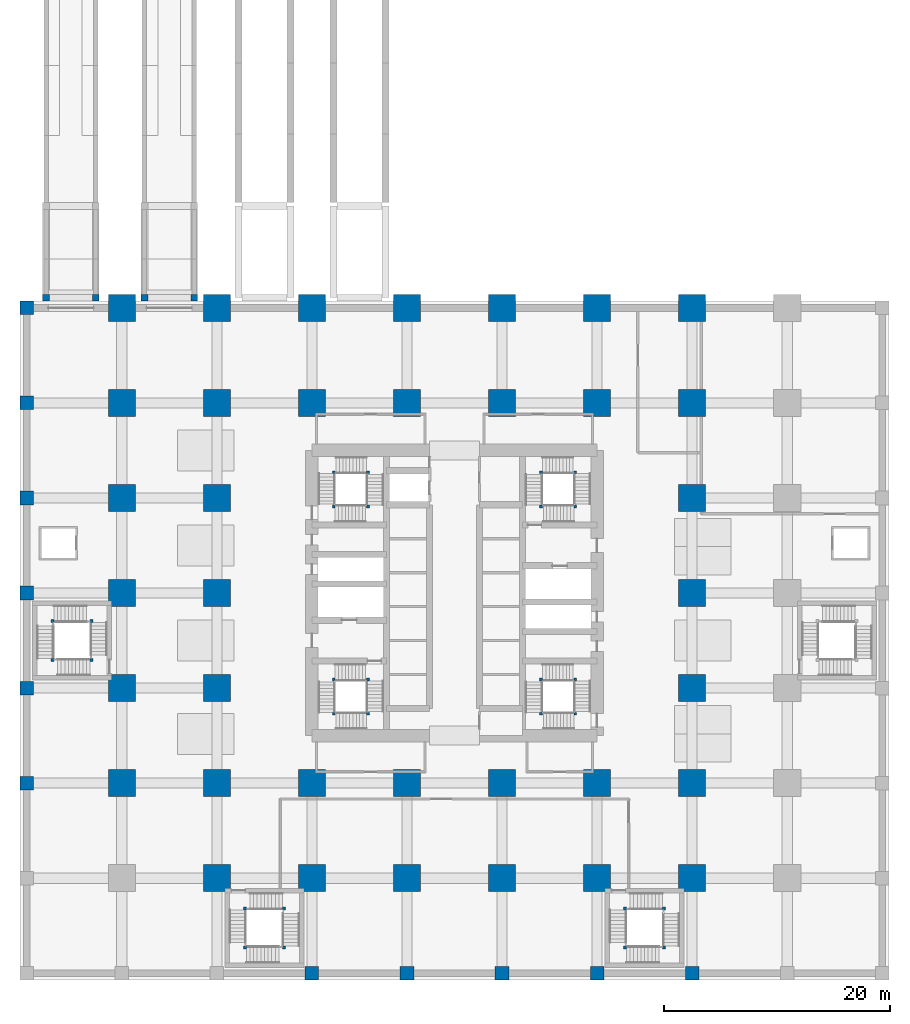
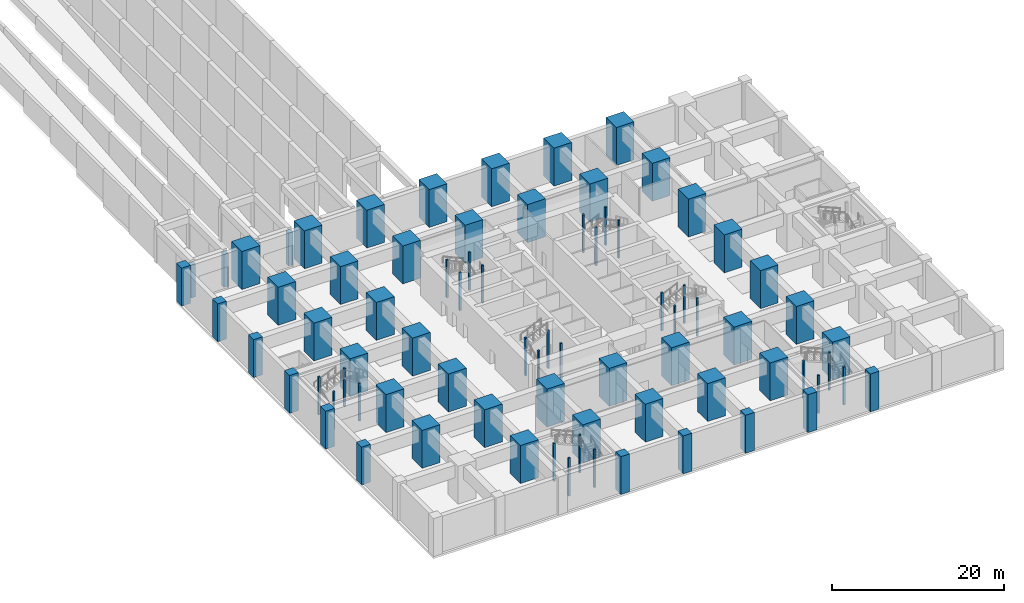
# One storey, part 2 of 20: 79 columns.
"""IFC4 building model written with IfcOpenShell, lengths in metres."""

from ifc_helpers import new_model, si_unit, direction, frame, origin, origin_2d, place, context, subcontext, project, spatial, rectangle, extrude, material, material_profile, profile_set, type_object, element, save


model = new_model("IFC4")

# Units and contexts
model_context = context("Model", 3, precision=1e-05, world=origin(), true_north=direction((0.0, 1.0)))
body_context = subcontext(model_context, "Body", "Model", "MODEL_VIEW")
ifc_project = project(units=[si_unit("LENGTHUNIT", "METRE"), si_unit("AREAUNIT", "SQUARE_METRE"), si_unit("VOLUMEUNIT", "CUBIC_METRE"), si_unit("PLANEANGLEUNIT", "RADIAN"), si_unit("MASSUNIT", "GRAM", prefix="KILO")], contexts=[model_context])

# Site, building, storey
site_placement = place(None, origin())
site = spatial("IfcSite", under=ifc_project, at=site_placement, CompositionType="ELEMENT")
building_placement = place(site_placement, origin())
building = spatial("IfcBuilding", under=site, at=building_placement, Name="Rekha Terrace Tower", CompositionType="ELEMENT")
storey_placement = place(building_placement, frame((0.0, 0.0, -5.39990234375)))
storey = spatial("IfcBuildingStorey", under=building, at=storey_placement, Name="B-01", CompositionType="ELEMENT", Elevation=-5.39990234375)

# Columns
ifc_material_1 = material(Name="Concrete M70", Category="concrete")
ifc_material_profile_1 = material_profile(ifc_material_1, rectangle(XDim=2.39990234375, YDim=2.39990234375, at=origin_2d()), Name="RC 2400x2400")
ifc_profile_set_1 = profile_set([ifc_material_profile_1], Name="Concrete M70")
column_type_1 = type_object("IfcColumnType", Name="C1 2400x2400 column", PredefinedType="COLUMN", material=ifc_profile_set_1)
for number, where, z_axis, x_axis, name in (
    (1, (8.39990234375, 16.800048828125, 0.0), (0.0, 0.0, 1.0), (1.0, 0.0, 0.0), "Column C1 2/C B-01"),
    (2, (8.39990234375, 25.199951171875, 0.0), (0.0, 0.0, 1.0), (1.0, 0.0, 0.0), "Column C1 2/D B-01"),
    (3, (8.39990234375, 33.60009765625, 0.0), (0.0, 0.0, 1.0), (1.0, 0.0, 0.0), "Column C1 2/E B-01"),
    (4, (8.39990234375, 42.0, 0.0), (0.0, 0.0, 1.0), (1.0, 0.0, 0.0), "Column C1 2/F B-01"),
    (5, (8.39990234375, 50.39990234375, 0.0), (0.0, 0.0, 1.0), (1.0, 0.0, 0.0), "Column C1 2/G B-01"),
    (6, (8.39990234375, 58.800048828125, 0.0), (0.0, 0.0, 1.0), (1.0, 0.0, 0.0), "Column C1 2/H B-01"),
    (7, (16.800048828125, 8.39990234375, 0.0), (0.0, 0.0, 1.0), (1.0, 0.0, 0.0), "Column C1 3/B B-01"),
    (8, (16.800048828125, 16.800048828125, 0.0), (0.0, 0.0, 1.0), (1.0, 0.0, 0.0), "Column C1 3/C B-01"),
    (9, (16.800048828125, 25.199951171875, 0.0), (0.0, 0.0, 1.0), (1.0, 0.0, 0.0), "Column C1 3/D B-01"),
    (10, (16.800048828125, 33.60009765625, 0.0), (0.0, 0.0, 1.0), (1.0, 0.0, 0.0), "Column C1 3/E B-01"),
    (11, (16.800048828125, 42.0, 0.0), (0.0, 0.0, 1.0), (1.0, 0.0, 0.0), "Column C1 3/F B-01"),
    (12, (16.800048828125, 50.39990234375, 0.0), (0.0, 0.0, 1.0), (1.0, 0.0, 0.0), "Column C1 3/G B-01"),
    (13, (16.800048828125, 58.800048828125, 0.0), (0.0, 0.0, 1.0), (1.0, 0.0, 0.0), "Column C1 3/H B-01"),
    (14, (25.199951171875, 8.39990234375, 0.0), (0.0, 0.0, 1.0), (1.0, 0.0, 0.0), "Column C1 4/B B-01"),
    (15, (25.199951171875, 16.800048828125, 0.0), (0.0, 0.0, 1.0), (1.0, 0.0, 0.0), "Column C1 4/C B-01"),
    (16, (25.199951171875, 50.39990234375, 0.0), (0.0, 0.0, 1.0), (1.0, 0.0, 0.0), "Column C1 4/G B-01"),
    (17, (25.199951171875, 58.800048828125, 0.0), (0.0, 0.0, 1.0), (1.0, 0.0, 0.0), "Column C1 4/H B-01"),
    (18, (33.60009765625, 8.39990234375, 0.0), (0.0, 0.0, 1.0), (1.0, 0.0, 0.0), "Column C1 5/B B-01"),
    (19, (33.60009765625, 16.800048828125, 0.0), (0.0, 0.0, 1.0), (1.0, 0.0, 0.0), "Column C1 5/C B-01"),
    (20, (33.60009765625, 50.39990234375, 0.0), (0.0, 0.0, 1.0), (1.0, 0.0, 0.0), "Column C1 5/G B-01"),
    (21, (33.60009765625, 58.800048828125, 0.0), (0.0, 0.0, 1.0), (1.0, 0.0, 0.0), "Column C1 5/H B-01"),
    (22, (42.0, 8.39990234375, 0.0), (0.0, 0.0, 1.0), (1.0, 0.0, 0.0), "Column C1 6/B B-01"),
    (23, (42.0, 16.800048828125, 0.0), (0.0, 0.0, 1.0), (1.0, 0.0, 0.0), "Column C1 6/C B-01"),
    (24, (42.0, 50.39990234375, 0.0), (0.0, 0.0, 1.0), (1.0, 0.0, 0.0), "Column C1 6/G B-01"),
    (25, (42.0, 58.800048828125, 0.0), (0.0, 0.0, 1.0), (1.0, 0.0, 0.0), "Column C1 6/H B-01"),
    (26, (50.39990234375, 8.39990234375, 0.0), (0.0, 0.0, 1.0), (1.0, 0.0, 0.0), "Column C1 7/B B-01"),
    (27, (50.39990234375, 16.800048828125, 0.0), (0.0, 0.0, 1.0), (1.0, 0.0, 0.0), "Column C1 7/C B-01"),
    (28, (50.39990234375, 50.39990234375, 0.0), (0.0, 0.0, 1.0), (1.0, 0.0, 0.0), "Column C1 7/G B-01"),
    (29, (50.39990234375, 58.800048828125, 0.0), (0.0, 0.0, 1.0), (1.0, 0.0, 0.0), "Column C1 7/H B-01"),
    (30, (58.800048828125, 8.39990234375, 0.0), (0.0, 0.0, 1.0), (1.0, 0.0, 0.0), "Column C1 8/B B-01"),
    (31, (58.800048828125, 16.800048828125, 0.0), (0.0, 0.0, 1.0), (1.0, 0.0, 0.0), "Column C1 8/C B-01"),
    (32, (58.800048828125, 25.199951171875, 0.0), (0.0, 0.0, 1.0), (1.0, 0.0, 0.0), "Column C1 8/D B-01"),
    (33, (58.800048828125, 33.60009765625, 0.0), (0.0, 0.0, 1.0), (1.0, 0.0, 0.0), "Column C1 8/E B-01"),
    (34, (58.800048828125, 42.0, 0.0), (0.0, 0.0, 1.0), (1.0, 0.0, 0.0), "Column C1 8/F B-01"),
    (35, (58.800048828125, 50.39990234375, 0.0), (0.0, 0.0, 1.0), (1.0, 0.0, 0.0), "Column C1 8/G B-01"),
    (36, (58.800048828125, 58.800048828125, 0.0), (0.0, 0.0, 1.0), (1.0, 0.0, 0.0), "Column C1 8/H B-01"),
):
    element("IfcColumn", number, at=place(storey_placement, frame(where, z_axis=z_axis, x_axis=x_axis)), inside=storey, type_object=column_type_1, Name=name, PredefinedType="COLUMN", context=body_context, shape_type="SweptSolid", body=[
        extrude(rectangle(XDim=2.39990234375, YDim=2.39990234375, at=origin_2d()), origin(), (0.0, 0.0, 1.0), 5.39990234375),
    ])
ifc_material_2 = material(Name="Concrete M60", Category="concrete")
ifc_material_profile_2 = material_profile(ifc_material_2, rectangle(XDim=1.199951171875, YDim=1.199951171875, at=origin_2d()), Name="RC 1200x1200")
ifc_profile_set_2 = profile_set([ifc_material_profile_2], Name="Concrete M60")
column_type_2 = type_object("IfcColumnType", Name="C6 1200x1200 podium column", PredefinedType="COLUMN", material=ifc_profile_set_2)
for number, where, z_axis, x_axis, name in (
    (37, (0.0, 16.800048828125, 0.0), (0.0, 0.0, 1.0), (1.0, 0.0, 0.0), "Column C6 1/C B-01"),
    (38, (0.0, 25.199951171875, 0.0), (0.0, 0.0, 1.0), (1.0, 0.0, 0.0), "Column C6 1/D B-01"),
    (39, (0.0, 33.60009765625, 0.0), (0.0, 0.0, 1.0), (1.0, 0.0, 0.0), "Column C6 1/E B-01"),
    (40, (0.0, 42.0, 0.0), (0.0, 0.0, 1.0), (1.0, 0.0, 0.0), "Column C6 1/F B-01"),
    (41, (0.0, 50.39990234375, 0.0), (0.0, 0.0, 1.0), (1.0, 0.0, 0.0), "Column C6 1/G B-01"),
    (42, (0.0, 58.800048828125, 0.0), (0.0, 0.0, 1.0), (1.0, 0.0, 0.0), "Column C6 1/H B-01"),
    (43, (25.199951171875, 0.0, 0.0), (0.0, 0.0, 1.0), (1.0, 0.0, 0.0), "Column C6 4/A B-01"),
    (44, (33.60009765625, 0.0, 0.0), (0.0, 0.0, 1.0), (1.0, 0.0, 0.0), "Column C6 5/A B-01"),
    (45, (42.0, 0.0, 0.0), (0.0, 0.0, 1.0), (1.0, 0.0, 0.0), "Column C6 6/A B-01"),
    (46, (50.39990234375, 0.0, 0.0), (0.0, 0.0, 1.0), (1.0, 0.0, 0.0), "Column C6 7/A B-01"),
    (47, (58.800048828125, 0.0, 0.0), (0.0, 0.0, 1.0), (1.0, 0.0, 0.0), "Column C6 8/A B-01"),
):
    element("IfcColumn", number, at=place(storey_placement, frame(where, z_axis=z_axis, x_axis=x_axis)), inside=storey, type_object=column_type_2, Name=name, PredefinedType="COLUMN", context=body_context, shape_type="SweptSolid", body=[
        extrude(rectangle(XDim=1.199951171875, YDim=1.199951171875, at=origin_2d()), origin(), (0.0, 0.0, 1.0), 5.39990234375),
    ])
ifc_material_3 = material(Name="Concrete M40", Category="concrete")
ifc_material_profile_3 = material_profile(ifc_material_3, rectangle(XDim=0.60009765625, YDim=0.60009765625, at=origin_2d()), Name="RC 600x600")
ifc_profile_set_3 = profile_set([ifc_material_profile_3], Name="Concrete M40")
column_type_3 = type_object("IfcColumnType", Name="DP1 600x600 bridge pier", PredefinedType="COLUMN", material=ifc_profile_set_3)
for number, where, z_axis, x_axis, name in (
    (48, (1.699951171875, 59.699951171875, -0.300048828125), (0.0, 0.0, 1.0), (1.0, 0.0, 0.0), "Ramp 1 bridge pier W1"),
    (49, (6.10009765625, 59.699951171875, -0.300048828125), (0.0, 0.0, 1.0), (1.0, 0.0, 0.0), "Ramp 1 bridge pier E1"),
    (50, (10.39990234375, 59.699951171875, -0.300048828125), (0.0, 0.0, 1.0), (1.0, 0.0, 0.0), "Ramp 2 bridge pier W1"),
    (51, (14.800048828125, 59.699951171875, -0.300048828125), (0.0, 0.0, 1.0), (1.0, 0.0, 0.0), "Ramp 2 bridge pier E1"),
):
    element("IfcColumn", number, at=place(storey_placement, frame(where, z_axis=z_axis, x_axis=x_axis)), inside=storey, type_object=column_type_3, Name=name, PredefinedType="COLUMN", context=body_context, shape_type="SweptSolid", body=[
        extrude(rectangle(XDim=0.60009765625, YDim=0.60009765625, at=origin_2d()), origin(), (0.0, 0.0, 1.0), 4.699951171875),
    ])
ifc_material_profile_4 = material_profile(ifc_material_2, rectangle(XDim=0.25, YDim=0.25, at=origin_2d()), Name="RC 250x250")
ifc_profile_set_4 = profile_set([ifc_material_profile_4], Name="Concrete M60")
column_type_4 = type_object("IfcColumnType", Name="NP1 250x250 stair newel post", PredefinedType="COLUMN", material=ifc_profile_set_4)
for number, where, z_axis, x_axis, name in (
    (52, (5.72509765625, 27.675048828125, 0.0), (0.0, 0.0, 1.0), (1.0, 0.0, 0.0), "Stair newel post NP1"),
    (53, (2.27490234375, 27.675048828125, 0.0), (0.0, 0.0, 1.0), (1.0, 0.0, 0.0), "Stair newel post NP1"),
    (54, (2.27490234375, 31.125, 0.0), (0.0, 0.0, 1.0), (1.0, 0.0, 0.0), "Stair newel post NP1"),
    (55, (5.72509765625, 31.125, 0.0), (0.0, 0.0, 1.0), (1.0, 0.0, 0.0), "Stair newel post NP1"),
    (56, (19.27490234375, 5.72509765625, 0.0), (0.0, 0.0, 1.0), (1.0, 0.0, 0.0), "Stair newel post NP1"),
    (57, (19.27490234375, 2.27490234375, 0.0), (0.0, 0.0, 1.0), (1.0, 0.0, 0.0), "Stair newel post NP1"),
    (58, (22.72509765625, 2.27490234375, 0.0), (0.0, 0.0, 1.0), (1.0, 0.0, 0.0), "Stair newel post NP1"),
    (59, (22.72509765625, 5.72509765625, 0.0), (0.0, 0.0, 1.0), (1.0, 0.0, 0.0), "Stair newel post NP1"),
    (60, (52.875, 5.72509765625, 0.0), (0.0, 0.0, 1.0), (1.0, 0.0, 0.0), "Stair newel post NP1"),
    (61, (52.875, 2.27490234375, 0.0), (0.0, 0.0, 1.0), (1.0, 0.0, 0.0), "Stair newel post NP1"),
    (62, (56.324951171875, 2.27490234375, 0.0), (0.0, 0.0, 1.0), (1.0, 0.0, 0.0), "Stair newel post NP1"),
    (63, (56.324951171875, 5.72509765625, 0.0), (0.0, 0.0, 1.0), (1.0, 0.0, 0.0), "Stair newel post NP1"),
    (64, (30.14990234375, 25.949951171875, 0.0), (0.0, 0.0, 1.0), (1.0, 0.0, 0.0), "Stair newel post NP1"),
    (65, (30.14990234375, 22.925048828125, 0.0), (0.0, 0.0, 1.0), (1.0, 0.0, 0.0), "Stair newel post NP1"),
    (66, (27.125, 22.925048828125, 0.0), (0.0, 0.0, 1.0), (1.0, 0.0, 0.0), "Stair newel post NP1"),
    (67, (27.125, 25.949951171875, 0.0), (0.0, 0.0, 1.0), (1.0, 0.0, 0.0), "Stair newel post NP1"),
    (68, (45.449951171875, 41.25, 0.0), (0.0, 0.0, 1.0), (1.0, 0.0, 0.0), "Stair newel post NP1"),
    (69, (45.449951171875, 44.27490234375, 0.0), (0.0, 0.0, 1.0), (1.0, 0.0, 0.0), "Stair newel post NP1"),
    (70, (48.47509765625, 44.27490234375, 0.0), (0.0, 0.0, 1.0), (1.0, 0.0, 0.0), "Stair newel post NP1"),
    (71, (48.47509765625, 41.25, 0.0), (0.0, 0.0, 1.0), (1.0, 0.0, 0.0), "Stair newel post NP1"),
    (72, (48.47509765625, 22.925048828125, 0.0), (0.0, 0.0, 1.0), (1.0, 0.0, 0.0), "Stair newel post NP1"),
    (73, (45.449951171875, 22.925048828125, 0.0), (0.0, 0.0, 1.0), (1.0, 0.0, 0.0), "Stair newel post NP1"),
    (74, (45.449951171875, 25.949951171875, 0.0), (0.0, 0.0, 1.0), (1.0, 0.0, 0.0), "Stair newel post NP1"),
    (75, (48.47509765625, 25.949951171875, 0.0), (0.0, 0.0, 1.0), (1.0, 0.0, 0.0), "Stair newel post NP1"),
    (76, (27.125, 41.25, 0.0), (0.0, 0.0, 1.0), (1.0, 0.0, 0.0), "Stair newel post NP1"),
    (77, (30.14990234375, 41.25, 0.0), (0.0, 0.0, 1.0), (1.0, 0.0, 0.0), "Stair newel post NP1"),
    (78, (30.14990234375, 44.27490234375, 0.0), (0.0, 0.0, 1.0), (1.0, 0.0, 0.0), "Stair newel post NP1"),
    (79, (27.125, 44.27490234375, 0.0), (0.0, 0.0, 1.0), (1.0, 0.0, 0.0), "Stair newel post NP1"),
):
    element("IfcColumn", number, at=place(storey_placement, frame(where, z_axis=z_axis, x_axis=x_axis)), inside=storey, type_object=column_type_4, Name=name, PredefinedType="COLUMN", context=body_context, shape_type="SweptSolid", body=[
        extrude(rectangle(XDim=0.25, YDim=0.25, at=origin_2d()), origin(), (0.0, 0.0, 1.0), 5.39990234375),
    ])

save(model, "model.ifc")
